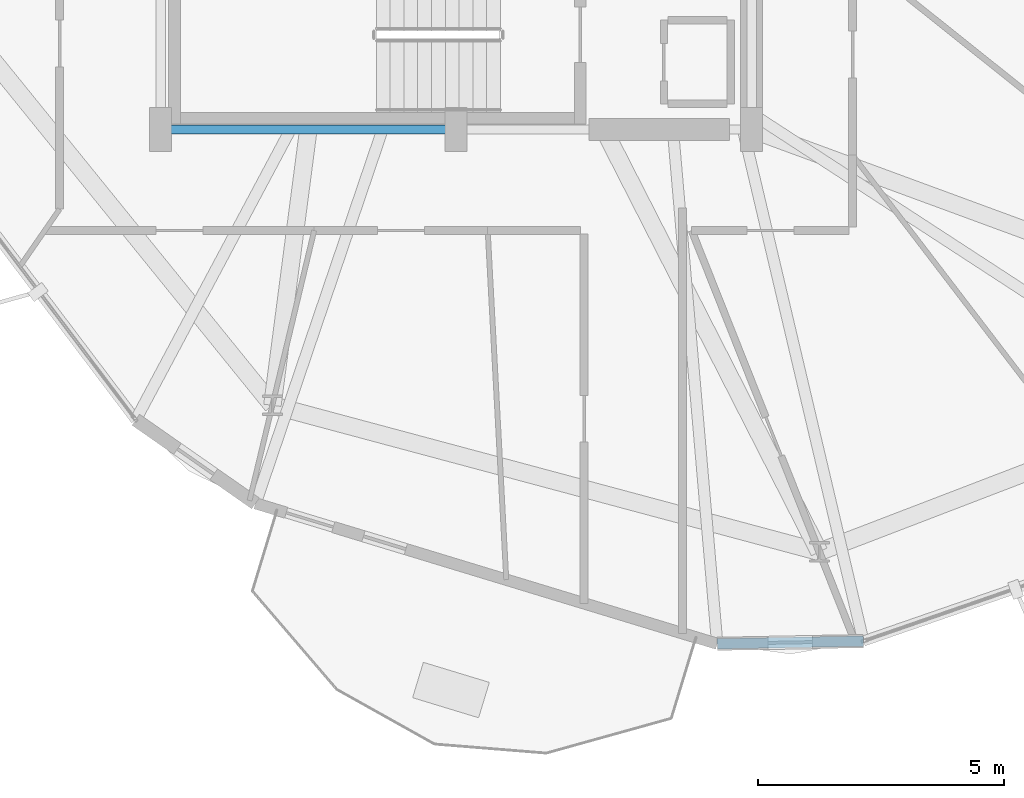
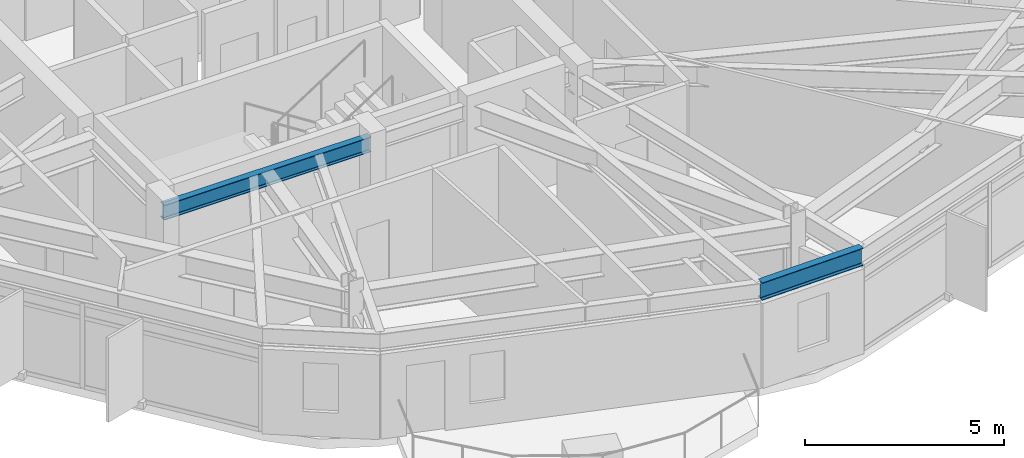
# One storey, part 5 of 34: 2 beams.
"""IFC4 building model written with IfcOpenShell, lengths in metres."""

from ifc_helpers import new_model, si_unit, direction, frame, origin, origin_2d, place, context, subcontext, project, spatial, i_section, extrude, material, material_profile, profile_set, type_object, element, save


model = new_model("IFC4")

# Units and contexts
model_context = context("Model", 3, precision=1e-05, world=origin(), true_north=direction((0.0, 1.0)))
body_context = subcontext(model_context, "Body", "Model", "MODEL_VIEW")
ifc_project = project(units=[si_unit("LENGTHUNIT", "METRE"), si_unit("AREAUNIT", "SQUARE_METRE"), si_unit("VOLUMEUNIT", "CUBIC_METRE"), si_unit("PLANEANGLEUNIT", "RADIAN"), si_unit("MASSUNIT", "GRAM", prefix="KILO")], contexts=[model_context])

# Site, building, storey
site_placement = place(None, origin())
site = spatial("IfcSite", under=ifc_project, at=site_placement, CompositionType="ELEMENT")
building_placement = place(site_placement, origin())
building = spatial("IfcBuilding", under=site, at=building_placement, Name="Soratama Intermodal Tower", CompositionType="ELEMENT")
storey_placement = place(building_placement, frame((0.0, 0.0, 233.800048828125)))
storey = spatial("IfcBuildingStorey", under=building, at=storey_placement, Name="L59", CompositionType="ELEMENT", Elevation=233.800048828125)

# Beams
ifc_material_1 = material(Name="Structural steel ASTM A992 Grade 50", Category="steel")
ifc_material_profile_1 = material_profile(ifc_material_1, i_section(OverallWidth=0.19091796875, OverallDepth=0.4599609375, WebThickness=0.010009765625, FlangeThickness=0.01611328125, FilletRadius=0.010986328125, at=origin_2d()), Name="W18X55")
ifc_profile_set_1 = profile_set([ifc_material_profile_1], Name="Structural steel ASTM A992 Grade 50")
beam_type_1 = type_object("IfcBeamType", Name="BM-FLR-W18X55", PredefinedType="BEAM", material=ifc_profile_set_1)
beam_1_placement = place(storey_placement, frame((32.60009765625, 15.0, 2.989990234375), z_axis=(1.0, 0.0, 0.0), x_axis=(0.0, 1.0, 0.0)))
element("IfcBeam", 1, at=beam_1_placement, inside=storey, type_object=beam_type_1, Name="BM-L59-CRING-01", PredefinedType="BEAM", context=body_context, shape_type="SweptSolid", body=[
    extrude(i_section(OverallWidth=0.19091796875, OverallDepth=0.4599609375, WebThickness=0.010009765625, FlangeThickness=0.01611328125, FilletRadius=0.010986328125, at=origin_2d()), origin(), (0.0, 0.0, 1.0), 6.0),
])
ifc_material_2 = material(Name="Structural steel ASTM A992 Grade 50", Category="steel")
ifc_material_profile_2 = material_profile(ifc_material_2, i_section(OverallWidth=0.2099609375, OverallDepth=0.537109375, WebThickness=0.010986328125, FlangeThickness=0.017333984375, FilletRadius=0.012939453125, at=origin_2d()), Name="W21X68")
ifc_profile_set_2 = profile_set([ifc_material_profile_2], Name="Structural steel ASTM A992 Grade 50")
beam_type_2 = type_object("IfcBeamType", Name="BM-SPN-W21X68", PredefinedType="SPANDREL", material=ifc_profile_set_2)
beam_2_placement = place(storey_placement, frame((43.902099609375, 4.55810546875, 2.951416015625), z_axis=(0.999822370262, 0.018847491175, 0.0), x_axis=(-0.018847491175, 0.999822370262, 0.0)))
element("IfcBeam", 2, at=beam_2_placement, inside=storey, type_object=beam_type_2, Name="BS-L59-CRN06", PredefinedType="SPANDREL", context=body_context, shape_type="SweptSolid", body=[
    extrude(i_section(OverallWidth=0.2099609375, OverallDepth=0.537109375, WebThickness=0.010986328125, FlangeThickness=0.017333984375, FilletRadius=0.012939453125, at=origin_2d()), origin(), (0.0, 0.0, 1.0), 2.96630859375),
])

save(model, "model.ifc")
